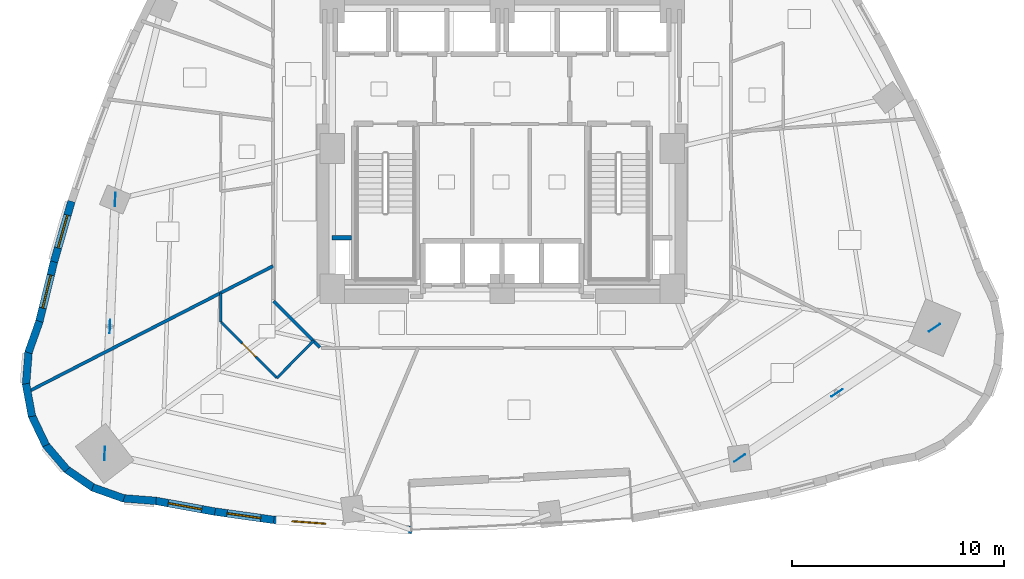
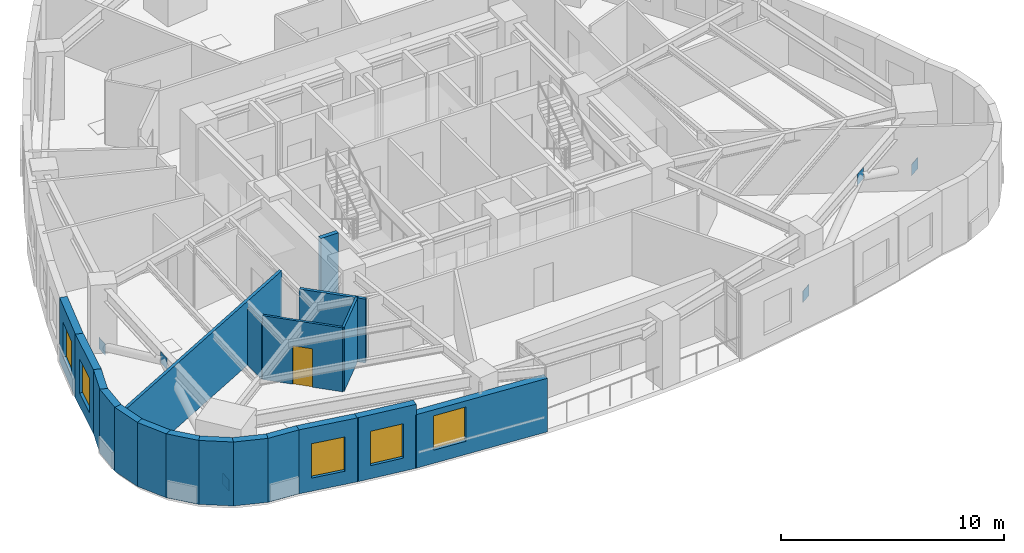
# One storey, part 4 of 11: 19 walls, 6 plates, 5 windows, 1 door, 6 openings.
"""IFC4 building model written with IfcOpenShell, lengths in metres."""

from ifc_helpers import new_model, si_unit, direction, frame, frame_2d, origin, origin_2d, place, context, subcontext, project, spatial, rectangle, extrude, material, layer, layer_set, type_object, element, fill, save


model = new_model("IFC4")

# Units and contexts
model_context = context("Model", 3, precision=1e-05, world=origin(), true_north=direction((0.0, 1.0)))
body_context = subcontext(model_context, "Body", "Model", "MODEL_VIEW")
ifc_project = project(units=[si_unit("LENGTHUNIT", "METRE"), si_unit("AREAUNIT", "SQUARE_METRE"), si_unit("VOLUMEUNIT", "CUBIC_METRE"), si_unit("PLANEANGLEUNIT", "RADIAN"), si_unit("MASSUNIT", "GRAM", prefix="KILO")], contexts=[model_context])

# Site, building, storey
site_placement = place(None, origin())
site = spatial("IfcSite", under=ifc_project, at=site_placement, CompositionType="ELEMENT")
building_placement = place(site_placement, origin())
building = spatial("IfcBuilding", under=site, at=building_placement, Name="Ndelora Gate Hotel", CompositionType="ELEMENT")
storey_placement = place(building_placement, frame((0.0, 0.0, 41.75)))
storey = spatial("IfcBuildingStorey", under=building, at=storey_placement, Name="L09", CompositionType="ELEMENT", Elevation=41.75)

# Plates
ifc_material_1 = material(Name="Steel S355", Category="steel")
ifc_layer_1 = layer(ifc_material_1, 0.02001953125)
ifc_layer_set_1 = layer_set([ifc_layer_1], Name="Steel S355")
plate_type = type_object("IfcPlateType", Name="PL-NODE-VN1", PredefinedType="USERDEFINED", material=ifc_layer_set_1)
for number, where, z_axis, x_axis, name in (
    (1, (-18.207275390625, -2.39697265625, -0.2900390625), (0.0, 0.0, 1.0), (0.041352508522, 0.999144619181, 0.0), "Node gusset cap plate VN1"),
    (2, (-18.701904296875, -14.3505859375, -0.2900390625), (0.0, 0.0, 1.0), (0.041352508522, 0.999144619181, 0.0), "Node gusset cap plate VN1"),
    (3, (-18.45458984375, -8.373779296875, 2.639892578125), (0.0, 0.0, 1.0), (0.041352508522, 0.999144619181, 0.0), "Node gusset cap plate VN1"),
    (4, (11.179443359375, -14.5693359375, -0.2900390625), (0.0, 0.0, 1.0), (0.830984469274, 0.5562956155, 0.0), "Node gusset cap plate VN1"),
    (5, (20.35009765625, -8.42919921875, -0.2900390625), (0.0, 0.0, 1.0), (0.830984469274, 0.5562956155, 0.0), "Node gusset cap plate VN1"),
    (6, (15.764892578125, -11.499267578125, 2.639892578125), (0.0, 0.0, 1.0), (0.830984469274, 0.5562956155, 0.0), "Node gusset cap plate VN1"),
):
    element("IfcPlate", number, at=place(storey_placement, frame(where, z_axis=z_axis, x_axis=x_axis)), inside=storey, type_object=plate_type, Name=name, ObjectType="GUSSET_PLATE", PredefinedType="USERDEFINED", context=body_context, shape_type="SweptSolid", body=[
        extrude(rectangle(XDim=0.6201171875, YDim=0.02001953125, at=origin_2d()), origin(), (0.0, 0.0, 1.0), 0.6201171875),
    ])

# Wall, opening, window
ifc_material_2 = material(Name="Clay Brick Masonry", Category="masonry")
ifc_layer_2 = layer(ifc_material_2, 0.360107421875)
ifc_layer_set_2 = layer_set([ifc_layer_2], Name="Clay Brick Masonry")
wall_type_1 = type_object("IfcWallType", Name="WL-BRICK-360", PredefinedType="SOLIDWALL", material=ifc_layer_set_2)
wall_1_placement = place(storey_placement, frame((-21.087890625, -5.326416015625, 0.0), z_axis=(0.0, 0.0, 1.0), x_axis=(0.277409452725, 0.960751786644, 0.0)))
wall_1 = element("IfcWall", 7, at=wall_1_placement, inside=storey, type_object=wall_type_1, Name="L09 Tower Brick Pier-and-Spandrel Wall TWR-19", PredefinedType="SOLIDWALL", context=body_context, shape_type="SweptSolid", body=[
    extrude(rectangle(XDim=2.96142578125, YDim=0.360107421875, at=frame_2d((1.480712890625, 0.0))), origin(), (0.0, 0.0, 1.0), 3.5),
])
opening_1_placement = place(wall_1_placement, frame((0.6806640625, 0.0, 0.719970703125)))
opening_1 = element("IfcOpeningElement", 8, at=opening_1_placement, cuts=wall_1, Name="Opening W01", PredefinedType="OPENING", context=body_context, shape_type="SweptSolid", body=[
    extrude(rectangle(XDim=1.60009765625, YDim=1.8798828125, at=frame_2d((0.800048828125, 0.93994140625))), frame((0.0, 0.18994140625, 0.0), z_axis=(0.0, -1.0, 0.0), x_axis=(1.0, 0.0, 0.0)), (0.0, 0.0, 1.0), 0.380126953125),
])
ifc_material_3 = material(Name="Insulated Low-E Double Glazing in Bronze Aluminium Frame", Category="aluminium")
window_type_1 = type_object("IfcWindowType", Name="WN-DEEP-1600", PartitioningType="SINGLE_PANEL", PredefinedType="WINDOW", material=ifc_material_3)
window_1_placement = place(opening_1_placement, origin())
window_1 = element("IfcWindow", 9, at=window_1_placement, inside=storey, type_object=window_type_1, Name="L09 Deep-Set Brick-Pier Window W01", OverallHeight=1.8798828125, OverallWidth=1.60009765625, PartitioningType="SINGLE_PANEL", PredefinedType="WINDOW", context=body_context, shape_type="SweptSolid", body=[
    extrude(rectangle(XDim=1.60009765625, YDim=1.8798828125, at=frame_2d((0.800048828125, 0.93994140625))), frame((0.0, 0.030029296875, 0.0), z_axis=(0.0, -1.0, 0.0), x_axis=(1.0, 0.0, 0.0)), (0.0, 0.0, 1.0), 0.06005859375),
])
fill(opening_1, window_1)

wall_2_placement = place(storey_placement, frame((-21.785888671875, -8.17919921875, 0.0), z_axis=(0.0, 0.0, 1.0), x_axis=(0.237936398685, 0.971280737058, 0.0)))
wall_2 = element("IfcWall", 10, at=wall_2_placement, inside=storey, type_object=wall_type_1, Name="L09 Tower Brick Pier-and-Spandrel Wall TWR-20", PredefinedType="SOLIDWALL", context=body_context, shape_type="SweptSolid", body=[
    extrude(rectangle(XDim=2.98681640625, YDim=0.360107421875, at=frame_2d((1.493408203125, 0.0))), origin(), (0.0, 0.0, 1.0), 3.5),
])
opening_2_placement = place(wall_2_placement, frame((0.693603515625, 0.0, 0.719970703125)))
opening_2 = element("IfcOpeningElement", 11, at=opening_2_placement, cuts=wall_2, Name="Opening W01", PredefinedType="OPENING", context=body_context, shape_type="SweptSolid", body=[
    extrude(rectangle(XDim=1.60009765625, YDim=1.8798828125, at=frame_2d((0.800048828125, 0.93994140625))), frame((0.0, 0.18994140625, 0.0), z_axis=(0.0, -1.0, 0.0), x_axis=(1.0, 0.0, 0.0)), (0.0, 0.0, 1.0), 0.380126953125),
])
window_2_placement = place(opening_2_placement, origin())
window_2 = element("IfcWindow", 12, at=window_2_placement, inside=storey, type_object=window_type_1, Name="L09 Deep-Set Brick-Pier Window W01", OverallHeight=1.8798828125, OverallWidth=1.60009765625, PartitioningType="SINGLE_PANEL", PredefinedType="WINDOW", context=body_context, shape_type="SweptSolid", body=[
    extrude(rectangle(XDim=1.60009765625, YDim=1.8798828125, at=frame_2d((0.800048828125, 0.93994140625))), frame((0.0, 0.030029296875, 0.0), z_axis=(0.0, -1.0, 0.0), x_axis=(1.0, 0.0, 0.0)), (0.0, 0.0, 1.0), 0.06005859375),
])
fill(opening_2, window_2)

# Walls
wall_3_placement = place(storey_placement, frame((-22.293701171875, -9.605712890625, 0.0), z_axis=(0.0, 0.0, 1.0), x_axis=(0.333734446931, 0.942667130503, 0.0)))
element("IfcWall", 13, at=wall_3_placement, inside=storey, type_object=wall_type_1, Name="L09 Tower Brick Pier-and-Spandrel Wall TWR-21", PredefinedType="SOLIDWALL", context=body_context, shape_type="SweptSolid", body=[
    extrude(rectangle(XDim=1.56396484375, YDim=0.360107421875, at=frame_2d((0.781982421875, 0.0))), origin(), (0.0, 0.0, 1.0), 3.5),
])
wall_4_placement = place(storey_placement, frame((-22.40625, -11.11669921875, 0.0), z_axis=(0.0, 0.0, 1.0), x_axis=(0.078510627557, 0.99691327675, 0.0)))
element("IfcWall", 14, at=wall_4_placement, inside=storey, type_object=wall_type_1, Name="L09 Tower Brick Pier-and-Spandrel Wall TWR-22", PredefinedType="SOLIDWALL", context=body_context, shape_type="SweptSolid", body=[
    extrude(rectangle(XDim=1.564208984375, YDim=0.360107421875, at=frame_2d((0.7822265625, 0.0))), origin(), (0.0, 0.0, 1.0), 3.5),
])
for number, where, z_axis, x_axis, name in (
    (15, (-22.123779296875, -12.60498046875, 0.0), (0.0, 0.0, 1.0), (-0.182318428527, 0.983239538779, 0.0), "L09 Tower Brick Pier-and-Spandrel Wall TWR-23"),
    (16, (-21.4658203125, -13.969482421875, 0.0), (0.0, 0.0, 1.0), (-0.430527307026, 0.902577552294, 0.0), "L09 Tower Brick Pier-and-Spandrel Wall TWR-24"),
):
    element("IfcWall", number, at=place(storey_placement, frame(where, z_axis=z_axis, x_axis=x_axis)), inside=storey, type_object=wall_type_1, Name=name, PredefinedType="SOLIDWALL", context=body_context, shape_type="SweptSolid", body=[
        extrude(rectangle(XDim=1.56396484375, YDim=0.360107421875, at=frame_2d((0.781982421875, 0.0))), origin(), (0.0, 0.0, 1.0), 3.5),
    ])
for number, where, z_axis, x_axis, name in (
    (17, (-20.47705078125, -15.117431640625, 0.0), (0.0, 0.0, 1.0), (-0.649440729305, 0.760412216577, 0.0), "L09 Tower Brick Pier-and-Spandrel Wall TWR-25"),
    (18, (-19.224853515625, -15.97021484375, 0.0), (0.0, 0.0, 1.0), (-0.824114783412, 0.56642283125, 0.0), "L09 Tower Brick Pier-and-Spandrel Wall TWR-26"),
):
    element("IfcWall", number, at=place(storey_placement, frame(where, z_axis=z_axis, x_axis=x_axis)), inside=storey, type_object=wall_type_1, Name=name, PredefinedType="SOLIDWALL", context=body_context, shape_type="SweptSolid", body=[
        extrude(rectangle(XDim=1.564208984375, YDim=0.360107421875, at=frame_2d((0.7822265625, 0.0))), origin(), (0.0, 0.0, 1.0), 3.5),
    ])
wall_5_placement = place(storey_placement, frame((-17.794677734375, -16.4697265625, 0.0), z_axis=(0.0, 0.0, 1.0), x_axis=(-0.942667130503, 0.333734446931, 0.0)))
element("IfcWall", 19, at=wall_5_placement, inside=storey, type_object=wall_type_1, Name="L09 Tower Brick Pier-and-Spandrel Wall TWR-27", PredefinedType="SOLIDWALL", context=body_context, shape_type="SweptSolid", body=[
    extrude(rectangle(XDim=1.56396484375, YDim=0.360107421875, at=frame_2d((0.781982421875, 0.0))), origin(), (0.0, 0.0, 1.0), 3.5),
])
wall_6_placement = place(storey_placement, frame((-16.28369140625, -16.582275390625, 0.0), z_axis=(0.0, 0.0, 1.0), x_axis=(-0.99691327675, 0.078510627557, 0.0)))
element("IfcWall", 20, at=wall_6_placement, inside=storey, type_object=wall_type_1, Name="L09 Tower Brick Pier-and-Spandrel Wall TWR-28", PredefinedType="SOLIDWALL", context=body_context, shape_type="SweptSolid", body=[
    extrude(rectangle(XDim=1.564208984375, YDim=0.360107421875, at=frame_2d((0.7822265625, 0.0))), origin(), (0.0, 0.0, 1.0), 3.5),
])

# Wall, opening, window
wall_7_placement = place(storey_placement, frame((-13.50927734375, -17.087890625, 0.0), z_axis=(0.0, 0.0, 1.0), x_axis=(-0.983946038972, 0.17846622199, 0.0)))
wall_7 = element("IfcWall", 21, at=wall_7_placement, inside=storey, type_object=wall_type_1, Name="L09 Tower Brick Pier-and-Spandrel Wall TWR-29", PredefinedType="SOLIDWALL", context=body_context, shape_type="SweptSolid", body=[
    extrude(rectangle(XDim=2.8701171875, YDim=0.360107421875, at=frame_2d((1.43505859375, 0.0))), origin(), (0.0, 0.0, 1.0), 3.5),
])
opening_3_placement = place(wall_7_placement, frame((0.635009765625, 0.0, 0.719970703125)))
opening_3 = element("IfcOpeningElement", 22, at=opening_3_placement, cuts=wall_7, Name="Opening W03", PredefinedType="OPENING", context=body_context, shape_type="SweptSolid", body=[
    extrude(rectangle(XDim=1.60009765625, YDim=1.8798828125, at=frame_2d((0.800048828125, 0.93994140625))), frame((0.0, 0.18994140625, 0.0), z_axis=(0.0, -1.0, 0.0), x_axis=(1.0, 0.0, 0.0)), (0.0, 0.0, 1.0), 0.380126953125),
])
window_type_2 = type_object("IfcWindowType", Name="WN-CORN-2100", PartitioningType="SINGLE_PANEL", PredefinedType="WINDOW", material=ifc_material_3)
window_3_placement = place(opening_3_placement, origin())
window_3 = element("IfcWindow", 23, at=window_3_placement, inside=storey, type_object=window_type_2, Name="L09 Deep-Set Brick-Pier Window W03", OverallHeight=1.8798828125, OverallWidth=1.60009765625, PartitioningType="SINGLE_PANEL", PredefinedType="WINDOW", context=body_context, shape_type="SweptSolid", body=[
    extrude(rectangle(XDim=1.60009765625, YDim=1.8798828125, at=frame_2d((0.800048828125, 0.93994140625))), frame((0.0, 0.030029296875, 0.0), z_axis=(0.0, -1.0, 0.0), x_axis=(1.0, 0.0, 0.0)), (0.0, 0.0, 1.0), 0.06005859375),
])
fill(opening_3, window_3)

wall_8_placement = place(storey_placement, frame((-10.740234375, -17.4775390625, 0.0), z_axis=(0.0, 0.0, 1.0), x_axis=(-0.99018993195, 0.139727945179, 0.0)))
wall_8 = element("IfcWall", 24, at=wall_8_placement, inside=storey, type_object=wall_type_1, Name="L09 Tower Brick Pier-and-Spandrel Wall TWR-30", PredefinedType="SOLIDWALL", context=body_context, shape_type="SweptSolid", body=[
    extrude(rectangle(XDim=2.84619140625, YDim=0.360107421875, at=frame_2d((1.423095703125, 0.0))), origin(), (0.0, 0.0, 1.0), 3.5),
])
opening_4_placement = place(wall_8_placement, frame((0.623291015625, 0.0, 0.719970703125)))
opening_4 = element("IfcOpeningElement", 25, at=opening_4_placement, cuts=wall_8, Name="Opening W01", PredefinedType="OPENING", context=body_context, shape_type="SweptSolid", body=[
    extrude(rectangle(XDim=1.60009765625, YDim=1.8798828125, at=frame_2d((0.800048828125, 0.93994140625))), frame((0.0, 0.18994140625, 0.0), z_axis=(0.0, -1.0, 0.0), x_axis=(1.0, 0.0, 0.0)), (0.0, 0.0, 1.0), 0.380126953125),
])
window_4_placement = place(opening_4_placement, origin())
window_4 = element("IfcWindow", 26, at=window_4_placement, inside=storey, type_object=window_type_1, Name="L09 Deep-Set Brick-Pier Window W01", OverallHeight=1.8798828125, OverallWidth=1.60009765625, PartitioningType="SINGLE_PANEL", PredefinedType="WINDOW", context=body_context, shape_type="SweptSolid", body=[
    extrude(rectangle(XDim=1.60009765625, YDim=1.8798828125, at=frame_2d((0.800048828125, 0.93994140625))), frame((0.0, 0.030029296875, 0.0), z_axis=(0.0, -1.0, 0.0), x_axis=(1.0, 0.0, 0.0)), (0.0, 0.0, 1.0), 0.06005859375),
])
fill(opening_4, window_4)

wall_9_placement = place(storey_placement, frame((-4.241455078125, -17.951416015625, 0.0), z_axis=(0.0, 0.0, 1.0), x_axis=(-0.997332601372, 0.072990973697, 0.0)))
wall_9 = element("IfcWall", 27, at=wall_9_placement, inside=storey, type_object=wall_type_1, Name="L09 Tower Brick Pier-and-Spandrel Wall TWR-31", PredefinedType="SOLIDWALL", context=body_context, shape_type="SweptSolid", body=[
    extrude(rectangle(XDim=6.56591796875, YDim=0.360107421875, at=frame_2d((3.282958984375, 0.0))), origin(), (0.0, 0.0, 1.0), 2.929931640625),
])
opening_5_placement = place(wall_9_placement, frame((4.06005859375, 0.0, 0.719970703125)))
opening_5 = element("IfcOpeningElement", 28, at=opening_5_placement, cuts=wall_9, Name="Opening W01", PredefinedType="OPENING", context=body_context, shape_type="SweptSolid", body=[
    extrude(rectangle(XDim=1.60009765625, YDim=1.8798828125, at=frame_2d((0.800048828125, 0.93994140625))), frame((0.0, 0.18994140625, 0.0), z_axis=(0.0, -1.0, 0.0), x_axis=(1.0, 0.0, 0.0)), (0.0, 0.0, 1.0), 0.380126953125),
])
window_5_placement = place(opening_5_placement, origin())
window_5 = element("IfcWindow", 29, at=window_5_placement, inside=storey, type_object=window_type_1, Name="L09 Deep-Set Brick-Pier Window W01", OverallHeight=1.8798828125, OverallWidth=1.60009765625, PartitioningType="SINGLE_PANEL", PredefinedType="WINDOW", context=body_context, shape_type="SweptSolid", body=[
    extrude(rectangle(XDim=1.60009765625, YDim=1.8798828125, at=frame_2d((0.800048828125, 0.93994140625))), frame((0.0, 0.030029296875, 0.0), z_axis=(0.0, -1.0, 0.0), x_axis=(1.0, 0.0, 0.0)), (0.0, 0.0, 1.0), 0.06005859375),
])
fill(opening_5, window_5)

# Walls
ifc_material_4 = material(Name="Fire-Rated Gypsum Stud Partition", Category="gypsum")
ifc_layer_3 = layer(ifc_material_4, 0.14990234375)
ifc_layer_set_3 = layer_set([ifc_layer_3], Name="Fire-Rated Gypsum Stud Partition")
wall_type_2 = type_object("IfcWallType", Name="WL-PART-150", PredefinedType="PARTITIONING", material=ifc_layer_set_3)
wall_10_placement = place(storey_placement, frame((-8.578369140625, -9.351806640625, 0.0), z_axis=(0.0, 0.0, 1.0), x_axis=(-0.707067066127, 0.707146494016, 0.0)))
element("IfcWall", 30, at=wall_10_placement, inside=storey, type_object=wall_type_2, Name="L09 Interior Wall IW-5", PredefinedType="PARTITIONING", context=body_context, shape_type="SweptSolid", body=[
    extrude(rectangle(XDim=3.07373046875, YDim=0.14990234375, at=frame_2d((1.536865234375, 0.0))), origin(), (0.0, 0.0, 1.0), 3.5),
])
wall_11_placement = place(storey_placement, frame((-10.780029296875, -5.529541015625, 0.0), z_axis=(0.0, 0.0, 1.0), x_axis=(-0.889778319353, -0.456392969281, 0.0)))
element("IfcWall", 31, at=wall_11_placement, inside=storey, type_object=wall_type_2, Name="L09 Interior Wall IW-5", PredefinedType="PARTITIONING", context=body_context, shape_type="SweptSolid", body=[
    extrude(rectangle(XDim=12.98828125, YDim=0.14990234375, at=frame_2d((6.494140625, 0.0))), origin(), (0.0, 0.0, 1.0), 3.5),
])
ifc_material_5 = material(Name="Concrete C40/50", Category="concrete")
ifc_layer_4 = layer(ifc_material_5, 0.219970703125)
ifc_layer_set_4 = layer_set([ifc_layer_4], Name="Concrete C40/50")
wall_type_3 = type_object("IfcWallType", Name="WL-SHAFT-220", PredefinedType="PARTITIONING", material=ifc_layer_set_4)
wall_12_placement = place(storey_placement, frame((-8.0, -4.199951171875, 0.0), z_axis=(0.0, 0.0, 1.0), x_axis=(1.0, 0.0, 0.0)))
element("IfcWall", 32, at=wall_12_placement, inside=storey, type_object=wall_type_3, Name="L09 Interior Wall IW-1", PredefinedType="PARTITIONING", context=body_context, shape_type="SweptSolid", body=[
    extrude(rectangle(XDim=0.909912109375, YDim=0.219970703125, at=frame_2d((0.455078125, 0.0))), origin(), (0.0, 0.0, 1.0), 3.5),
])
ifc_material_6 = material(Name="Moisture-Resistant Bathroom Tile Partition", Category="gypsum")
ifc_layer_5 = layer(ifc_material_6, 0.1201171875)
ifc_layer_set_5 = layer_set([ifc_layer_5], Name="Moisture-Resistant Bathroom Tile Partition")
wall_type_4 = type_object("IfcWallType", Name="WL-WET-120", PredefinedType="PARTITIONING", material=ifc_layer_set_5)
wall_13_placement = place(storey_placement, frame((-10.596435546875, -10.798583984375, 0.0), z_axis=(0.0, 0.0, 1.0), x_axis=(0.700399102338, 0.713751425529, 0.0)))
element("IfcWall", 33, at=wall_13_placement, inside=storey, type_object=wall_type_4, Name="L09 Interior Wall IW-7", PredefinedType="PARTITIONING", context=body_context, shape_type="SweptSolid", body=[
    extrude(rectangle(XDim=2.4501953125, YDim=0.1201171875, at=frame_2d((1.22509765625, 0.0))), origin(), (0.0, 0.0, 1.0), 3.5),
])

# Wall, opening, door
wall_14_placement = place(storey_placement, frame((-10.596435546875, -10.798583984375, 0.0), z_axis=(0.0, 0.0, 1.0), x_axis=(-0.707074006069, 0.707139554785, 0.0)))
wall_14 = element("IfcWall", 34, at=wall_14_placement, inside=storey, type_object=wall_type_4, Name="L09 Interior Wall IW-7", PredefinedType="PARTITIONING", context=body_context, shape_type="SweptSolid", body=[
    extrude(rectangle(XDim=3.724609375, YDim=0.1201171875, at=frame_2d((1.8623046875, 0.0))), origin(), (0.0, 0.0, 1.0), 3.5),
])
opening_6_placement = place(wall_14_placement, frame((1.40234375, 0.0, 0.0)))
opening_6 = element("IfcOpeningElement", 35, at=opening_6_placement, cuts=wall_14, Name="Opening D03", PredefinedType="OPENING", context=body_context, shape_type="SweptSolid", body=[
    extrude(rectangle(XDim=0.919921875, YDim=2.10009765625, at=frame_2d((0.4599609375, 1.050048828125))), frame((0.0, 0.070068359375, 0.0), z_axis=(0.0, -1.0, 0.0), x_axis=(1.0, 0.0, 0.0)), (0.0, 0.0, 1.0), 0.14013671875),
])
ifc_material_7 = material(Name="Moisture-Resistant Hardwood En-Suite Door", Category="wood")
door_type = type_object("IfcDoorType", Name="DR-BATH-920", OperationType="SINGLE_SWING_LEFT", PredefinedType="DOOR", material=ifc_material_7)
door_placement = place(opening_6_placement, origin())
door = element("IfcDoor", 36, at=door_placement, inside=storey, type_object=door_type, Name="L09 En-suite Bathroom 1202 Door", OperationType="SINGLE_SWING_LEFT", OverallHeight=2.10009765625, OverallWidth=0.919921875, PredefinedType="DOOR", context=body_context, shape_type="SweptSolid", body=[
    extrude(rectangle(XDim=0.919921875, YDim=2.10009765625, at=frame_2d((0.4599609375, 1.050048828125))), frame((0.0, 0.02490234375, 0.0), z_axis=(0.0, -1.0, 0.0), x_axis=(1.0, 0.0, 0.0)), (0.0, 0.0, 1.0), 0.050048828125),
])
fill(opening_6, door)

# Wall
wall_15_placement = place(storey_placement, frame((-13.22998046875, -6.7861328125, 0.0), z_axis=(0.0, 0.0, 1.0), x_axis=(0.0, -1.0, 0.0)))
element("IfcWall", 37, at=wall_15_placement, inside=storey, type_object=wall_type_4, Name="L09 Interior Wall IW-7", PredefinedType="PARTITIONING", context=body_context, shape_type="SweptSolid", body=[
    extrude(rectangle(XDim=1.378662109375, YDim=0.1201171875, at=frame_2d((0.689453125, 0.0))), origin(), (0.0, 0.0, 1.0), 3.1201171875),
])

save(model, "model.ifc")
